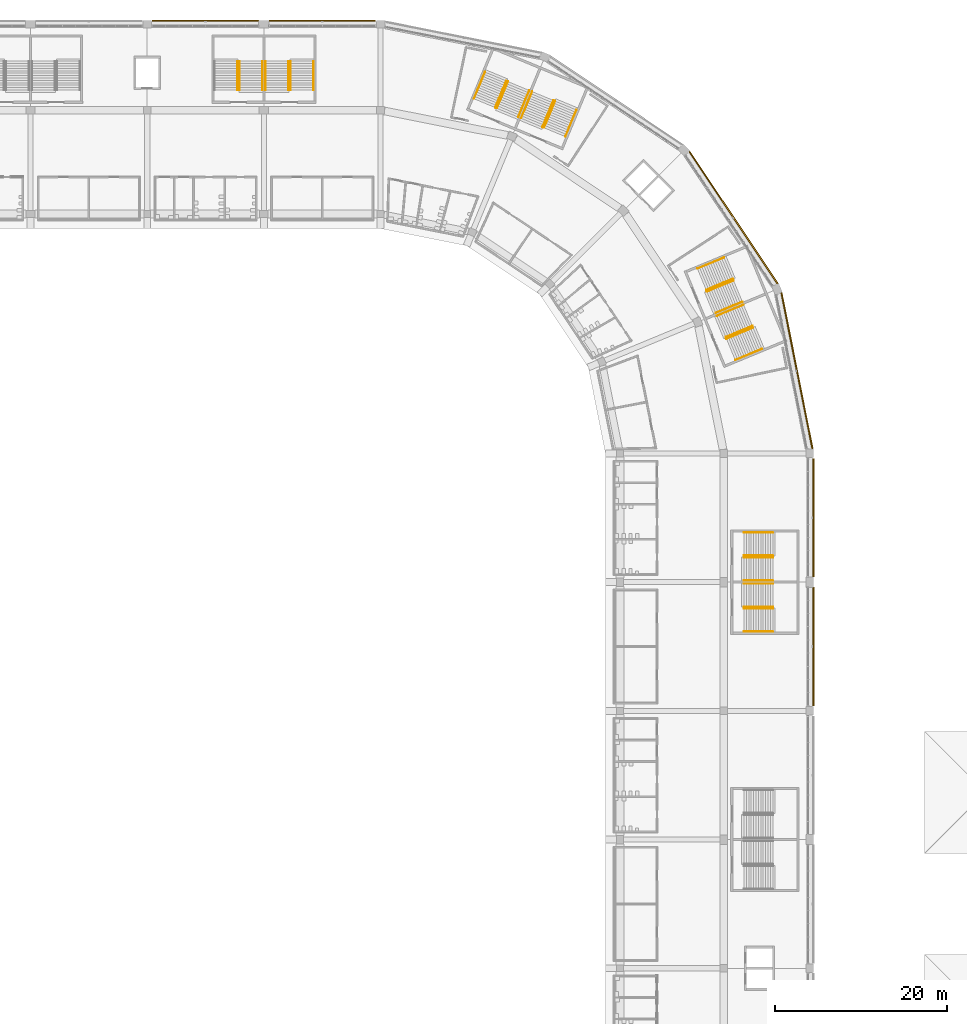
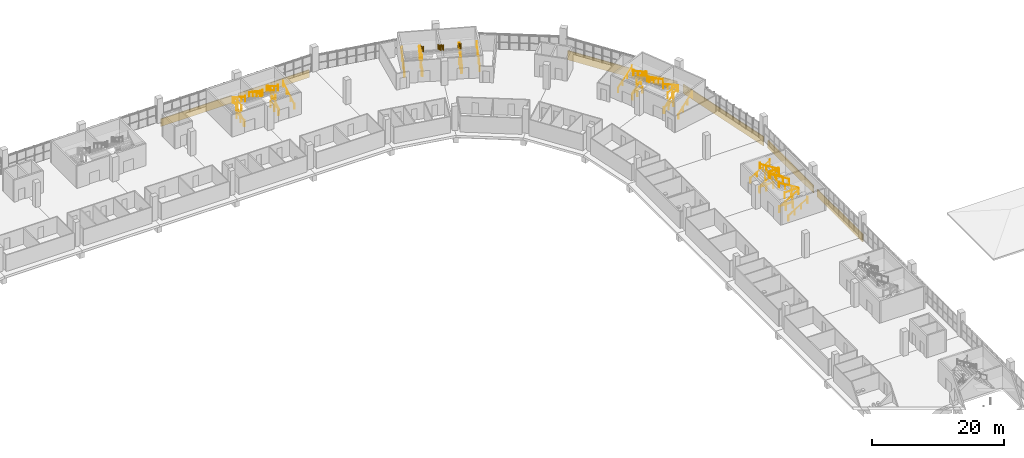
# One storey, part 191 of 199: 47 railings, 6 coverings.
"""IFC4 building model written with IfcOpenShell, lengths in metres."""

from ifc_helpers import new_model, si_unit, direction, frame, origin, origin_2d, place, context, subcontext, project, spatial, polyline, circle, outline, extrude, material, layer, layer_set, type_object, element, save


model = new_model("IFC4")

# Units and contexts
model_context = context("Model", 3, precision=1e-05, world=origin(), true_north=direction((0.0, 1.0)))
body_context = subcontext(model_context, "Body", "Model", "MODEL_VIEW")
ifc_project = project(units=[si_unit("LENGTHUNIT", "METRE"), si_unit("AREAUNIT", "SQUARE_METRE"), si_unit("VOLUMEUNIT", "CUBIC_METRE"), si_unit("PLANEANGLEUNIT", "RADIAN"), si_unit("MASSUNIT", "GRAM", prefix="KILO")], contexts=[model_context])

# Site, building, storey
site_placement = place(None, origin())
site = spatial("IfcSite", under=ifc_project, at=site_placement, CompositionType="ELEMENT")
building_placement = place(site_placement, origin())
building = spatial("IfcBuilding", under=site, at=building_placement, Name="Ogive Plaza Stadium", CompositionType="ELEMENT")
storey_placement = place(building_placement, frame((0.0, 0.0, 4.5)))
storey = spatial("IfcBuildingStorey", under=building, at=storey_placement, Name="L01", CompositionType="ELEMENT", Elevation=4.5)

# Railings
ifc_material_1 = material(Name="Steel ASTM A572 Grade 50", Category="steel")
railing_type_1 = type_object("IfcRailingType", Name="Guard 1100", PredefinedType="GUARDRAIL", material=ifc_material_1)
for number, where, name in (
    (1, (76.35009765625, 34.52490234375, 0.0), "Stair well guard ST02A L01"),
    (2, (77.31005859375, 34.52490234375, 2.25), "Stair well guard ST02A L01"),
    (3, (76.35009765625, 40.47509765625, 0.0), "Stair well guard ST02B L01"),
    (4, (77.31005859375, 40.47509765625, 2.25), "Stair well guard ST02B L01"),
):
    element("IfcRailing", number, at=place(storey_placement, frame(where)), inside=storey, type_object=railing_type_1, Name=name, PredefinedType="GUARDRAIL", context=body_context, shape_type="SweptSolid", body=[
        extrude(circle(Radius=0.02392578125, at=origin_2d()), frame((0.0, 0.0, 1.076171875), z_axis=(1.0, 0.0, 0.0), x_axis=(0.0, 1.0, 0.0)), (0.0, 0.0, 1.0), 2.39990234375),
        extrude(circle(Radius=0.02099609375, at=origin_2d()), origin(), (0.0, 0.0, 1.0), 1.052001953125),
        extrude(circle(Radius=0.02099609375, at=origin_2d()), frame((1.199951171875, 0.0, 0.0)), (0.0, 0.0, 1.0), 1.052001953125),
        extrude(circle(Radius=0.02099609375, at=origin_2d()), frame((2.39990234375, 0.0, 0.0)), (0.0, 0.0, 1.0), 1.052001953125),
    ])
for number, where, name in (
    (5, (23.375, 94.85009765625, 0.0), "Stair well guard ST36A L01"),
    (6, (23.375, 95.81005859375, 2.25), "Stair well guard ST36A L01"),
    (7, (17.425048828125, 94.85009765625, 0.0), "Stair well guard ST36B L01"),
    (8, (17.425048828125, 95.81005859375, 2.25), "Stair well guard ST36B L01"),
):
    element("IfcRailing", number, at=place(storey_placement, frame(where)), inside=storey, type_object=railing_type_1, Name=name, PredefinedType="GUARDRAIL", context=body_context, shape_type="SweptSolid", body=[
        extrude(circle(Radius=0.02392578125, at=origin_2d()), frame((0.0, 0.0, 1.076171875), z_axis=(0.0, 1.0, 0.0), x_axis=(-1.0, 0.0, 0.0)), (0.0, 0.0, 1.0), 2.39990234375),
        extrude(circle(Radius=0.02099609375, at=origin_2d()), origin(), (0.0, 0.0, 1.0), 1.052001953125),
        extrude(circle(Radius=0.02099609375, at=origin_2d()), frame((0.0, 1.199951171875, 0.0)), (0.0, 0.0, 1.0), 1.052001953125),
        extrude(circle(Radius=0.02099609375, at=origin_2d()), frame((0.0, 2.39990234375, 0.0)), (0.0, 0.0, 1.0), 1.052001953125),
    ])
for number, where, name in (
    (9, (52.955078125, 90.48779296875, 0.0), "Stair well guard ST38A L01"),
    (10, (53.322509765625, 91.374755859375, 2.25), "Stair well guard ST38A L01"),
    (11, (47.4580078125, 92.764892578125, 0.0), "Stair well guard ST38B L01"),
    (12, (47.825439453125, 93.651611328125, 2.25), "Stair well guard ST38B L01"),
):
    element("IfcRailing", number, at=place(storey_placement, frame(where)), inside=storey, type_object=railing_type_1, Name=name, PredefinedType="GUARDRAIL", context=body_context, shape_type="SweptSolid", body=[
        extrude(circle(Radius=0.02392578125, at=origin_2d()), frame((0.0, 0.0, 1.076171875), z_axis=(0.382693194178, 0.923875488976, 0.0), x_axis=(-0.923875488976, 0.382693194178, 0.0)), (0.0, 0.0, 1.0), 2.39990234375),
        extrude(circle(Radius=0.02099609375, at=origin_2d()), origin(), (0.0, 0.0, 1.0), 1.052001953125),
        extrude(circle(Radius=0.02099609375, at=origin_2d()), frame((0.459228515625, 1.108642578125, 0.0)), (0.0, 0.0, 1.0), 1.052001953125),
        extrude(circle(Radius=0.02099609375, at=origin_2d()), frame((0.91845703125, 2.21728515625, 0.0)), (0.0, 0.0, 1.0), 1.052001953125),
    ])
for number, where, name in (
    (13, (74.264892578125, 65.9580078125, 0.0), "Stair well guard ST40A L01"),
    (14, (75.151611328125, 66.325439453125, 2.25), "Stair well guard ST40A L01"),
    (15, (71.98779296875, 71.455078125, 0.0), "Stair well guard ST40B L01"),
    (16, (72.874755859375, 71.822509765625, 2.25), "Stair well guard ST40B L01"),
):
    element("IfcRailing", number, at=place(storey_placement, frame(where)), inside=storey, type_object=railing_type_1, Name=name, PredefinedType="GUARDRAIL", context=body_context, shape_type="SweptSolid", body=[
        extrude(circle(Radius=0.02392578125, at=origin_2d()), frame((0.0, 0.0, 1.076171875), z_axis=(0.923875488976, 0.382693194178, 0.0), x_axis=(-0.382693194178, 0.923875488976, 0.0)), (0.0, 0.0, 1.0), 2.39990234375),
        extrude(circle(Radius=0.02099609375, at=origin_2d()), origin(), (0.0, 0.0, 1.0), 1.052001953125),
        extrude(circle(Radius=0.02099609375, at=origin_2d()), frame((1.108642578125, 0.459228515625, 0.0)), (0.0, 0.0, 1.0), 1.052001953125),
        extrude(circle(Radius=0.02099609375, at=origin_2d()), frame((2.21728515625, 0.91845703125, 0.0)), (0.0, 0.0, 1.0), 1.052001953125),
    ])
ifc_material_2 = material(Name="Steel ASTM A572 Grade 50", Category="steel")
railing_type_2 = type_object("IfcRailingType", Name="Handrail 900", PredefinedType="HANDRAIL", material=ifc_material_2)
for number, where, name in (
    (17, (76.35009765625, 31.735107421875, 0.173095703125), "Handrail ST02A L01"),
    (18, (76.35009765625, 34.4150390625, 0.173095703125), "Handrail ST02A L01"),
):
    element("IfcRailing", number, at=place(storey_placement, frame(where)), inside=storey, type_object=railing_type_2, Name=name, PredefinedType="HANDRAIL", context=body_context, shape_type="SweptSolid", body=[
        extrude(circle(Radius=0.02392578125, at=origin_2d()), frame((0.0, 0.0, 0.8759765625), z_axis=(0.850606129759, 0.0, 0.525803396734), x_axis=(0.0, 1.0, 0.0)), (0.0, 0.0, 1.0), 3.949951171875),
        extrude(circle(Radius=0.02099609375, at=origin_2d()), origin(), (0.0, 0.0, 1.0), 0.851806640625),
        extrude(circle(Radius=0.02099609375, at=origin_2d()), frame((1.119873046875, 0.0, 0.6923828125)), (0.0, 0.0, 1.0), 0.851806640625),
        extrude(circle(Radius=0.02099609375, at=origin_2d()), frame((2.239990234375, 0.0, 1.384521484375)), (0.0, 0.0, 1.0), 0.851806640625),
        extrude(circle(Radius=0.02099609375, at=origin_2d()), frame((3.35986328125, 0.0, 2.076904296875)), (0.0, 0.0, 1.0), 1.10009765625),
    ])
for number, where, name in (
    (19, (79.7099609375, 34.635009765625, 2.423095703125), "Handrail ST02A L01"),
    (20, (79.7099609375, 37.31494140625, 2.423095703125), "Handrail ST02A L01"),
):
    element("IfcRailing", number, at=place(storey_placement, frame(where)), inside=storey, type_object=railing_type_2, Name=name, PredefinedType="HANDRAIL", context=body_context, shape_type="SweptSolid", body=[
        extrude(circle(Radius=0.02392578125, at=origin_2d()), frame((0.0, 0.0, 0.8759765625), z_axis=(-0.850606129759, 0.0, 0.525803396734), x_axis=(0.0, -1.0, 0.0)), (0.0, 0.0, 1.0), 3.949951171875),
        extrude(circle(Radius=0.02099609375, at=origin_2d()), origin(), (0.0, 0.0, 1.0), 0.851806640625),
        extrude(circle(Radius=0.02099609375, at=origin_2d()), frame((-1.119873046875, 0.0, 0.6923828125)), (0.0, 0.0, 1.0), 0.851806640625),
        extrude(circle(Radius=0.02099609375, at=origin_2d()), frame((-2.239990234375, 0.0, 1.384521484375)), (0.0, 0.0, 1.0), 0.851806640625),
        extrude(circle(Radius=0.02099609375, at=origin_2d()), frame((-3.35986328125, 0.0, 2.076904296875)), (0.0, 0.0, 1.0), 1.10009765625),
    ])
for number, where, name in (
    (21, (76.35009765625, 40.5849609375, 0.173095703125), "Handrail ST02B L01"),
    (22, (76.35009765625, 43.264892578125, 0.173095703125), "Handrail ST02B L01"),
):
    element("IfcRailing", number, at=place(storey_placement, frame(where)), inside=storey, type_object=railing_type_2, Name=name, PredefinedType="HANDRAIL", context=body_context, shape_type="SweptSolid", body=[
        extrude(circle(Radius=0.02392578125, at=origin_2d()), frame((0.0, 0.0, 0.8759765625), z_axis=(0.850606129759, 0.0, 0.525803396734), x_axis=(0.0, 1.0, 0.0)), (0.0, 0.0, 1.0), 3.949951171875),
        extrude(circle(Radius=0.02099609375, at=origin_2d()), origin(), (0.0, 0.0, 1.0), 0.851806640625),
        extrude(circle(Radius=0.02099609375, at=origin_2d()), frame((1.119873046875, 0.0, 0.6923828125)), (0.0, 0.0, 1.0), 0.851806640625),
        extrude(circle(Radius=0.02099609375, at=origin_2d()), frame((2.239990234375, 0.0, 1.384521484375)), (0.0, 0.0, 1.0), 0.851806640625),
        extrude(circle(Radius=0.02099609375, at=origin_2d()), frame((3.35986328125, 0.0, 2.076904296875)), (0.0, 0.0, 1.0), 1.10009765625),
    ])
for number, where, name in (
    (23, (79.7099609375, 37.68505859375, 2.423095703125), "Handrail ST02B L01"),
    (24, (79.7099609375, 40.364990234375, 2.423095703125), "Handrail ST02B L01"),
):
    element("IfcRailing", number, at=place(storey_placement, frame(where)), inside=storey, type_object=railing_type_2, Name=name, PredefinedType="HANDRAIL", context=body_context, shape_type="SweptSolid", body=[
        extrude(circle(Radius=0.02392578125, at=origin_2d()), frame((0.0, 0.0, 0.8759765625), z_axis=(-0.850606129759, 0.0, 0.525803396734), x_axis=(0.0, -1.0, 0.0)), (0.0, 0.0, 1.0), 3.949951171875),
        extrude(circle(Radius=0.02099609375, at=origin_2d()), origin(), (0.0, 0.0, 1.0), 0.851806640625),
        extrude(circle(Radius=0.02099609375, at=origin_2d()), frame((-1.119873046875, 0.0, 0.6923828125)), (0.0, 0.0, 1.0), 0.851806640625),
        extrude(circle(Radius=0.02099609375, at=origin_2d()), frame((-2.239990234375, 0.0, 1.384521484375)), (0.0, 0.0, 1.0), 0.851806640625),
        extrude(circle(Radius=0.02099609375, at=origin_2d()), frame((-3.35986328125, 0.0, 2.076904296875)), (0.0, 0.0, 1.0), 1.10009765625),
    ])
for number, where, name in (
    (25, (26.1650390625, 94.85009765625, 0.173095703125), "Handrail ST36A L01"),
    (26, (23.485107421875, 94.85009765625, 0.173095703125), "Handrail ST36A L01"),
):
    element("IfcRailing", number, at=place(storey_placement, frame(where)), inside=storey, type_object=railing_type_2, Name=name, PredefinedType="HANDRAIL", context=body_context, shape_type="SweptSolid", body=[
        extrude(circle(Radius=0.02392578125, at=origin_2d()), frame((0.0, 0.0, 0.8759765625), z_axis=(0.0, 0.850606129759, 0.525803396734), x_axis=(-1.0, 0.0, 0.0)), (0.0, 0.0, 1.0), 3.949951171875),
        extrude(circle(Radius=0.02099609375, at=origin_2d()), origin(), (0.0, 0.0, 1.0), 0.851806640625),
        extrude(circle(Radius=0.02099609375, at=origin_2d()), frame((0.0, 1.119873046875, 0.6923828125)), (0.0, 0.0, 1.0), 0.851806640625),
        extrude(circle(Radius=0.02099609375, at=origin_2d()), frame((0.0, 2.239990234375, 1.384521484375)), (0.0, 0.0, 1.0), 0.851806640625),
        extrude(circle(Radius=0.02099609375, at=origin_2d()), frame((0.0, 3.35986328125, 2.076904296875)), (0.0, 0.0, 1.0), 1.10009765625),
    ])
for number, where, name in (
    (27, (23.264892578125, 98.2099609375, 2.423095703125), "Handrail ST36A L01"),
    (28, (20.5849609375, 98.2099609375, 2.423095703125), "Handrail ST36A L01"),
):
    element("IfcRailing", number, at=place(storey_placement, frame(where)), inside=storey, type_object=railing_type_2, Name=name, PredefinedType="HANDRAIL", context=body_context, shape_type="SweptSolid", body=[
        extrude(circle(Radius=0.02392578125, at=origin_2d()), frame((0.0, 0.0, 0.8759765625), z_axis=(0.0, -0.850606129759, 0.525803396734), x_axis=(1.0, 0.0, 0.0)), (0.0, 0.0, 1.0), 3.949951171875),
        extrude(circle(Radius=0.02099609375, at=origin_2d()), origin(), (0.0, 0.0, 1.0), 0.851806640625),
        extrude(circle(Radius=0.02099609375, at=origin_2d()), frame((0.0, -1.119873046875, 0.6923828125)), (0.0, 0.0, 1.0), 0.851806640625),
        extrude(circle(Radius=0.02099609375, at=origin_2d()), frame((0.0, -2.239990234375, 1.384521484375)), (0.0, 0.0, 1.0), 0.851806640625),
        extrude(circle(Radius=0.02099609375, at=origin_2d()), frame((0.0, -3.35986328125, 2.076904296875)), (0.0, 0.0, 1.0), 1.10009765625),
    ])
railing_1_placement = place(storey_placement, frame((17.31494140625, 94.85009765625, 0.173095703125)))
element("IfcRailing", 29, at=railing_1_placement, inside=storey, type_object=railing_type_2, Name="Handrail ST36B L01", PredefinedType="HANDRAIL", context=body_context, shape_type="SweptSolid", body=[
    extrude(circle(Radius=0.02392578125, at=origin_2d()), frame((0.0, 0.0, 0.8759765625), z_axis=(0.0, 0.850606129759, 0.525803396734), x_axis=(-1.0, 0.0, 0.0)), (0.0, 0.0, 1.0), 3.949951171875),
    extrude(circle(Radius=0.02099609375, at=origin_2d()), origin(), (0.0, 0.0, 1.0), 0.851806640625),
    extrude(circle(Radius=0.02099609375, at=origin_2d()), frame((0.0, 1.119873046875, 0.6923828125)), (0.0, 0.0, 1.0), 0.851806640625),
    extrude(circle(Radius=0.02099609375, at=origin_2d()), frame((0.0, 2.239990234375, 1.384521484375)), (0.0, 0.0, 1.0), 0.851806640625),
    extrude(circle(Radius=0.02099609375, at=origin_2d()), frame((0.0, 3.35986328125, 2.076904296875)), (0.0, 0.0, 1.0), 1.10009765625),
])
for number, where, name in (
    (30, (20.215087890625, 98.2099609375, 2.423095703125), "Handrail ST36B L01"),
    (31, (17.534912109375, 98.2099609375, 2.423095703125), "Handrail ST36B L01"),
):
    element("IfcRailing", number, at=place(storey_placement, frame(where)), inside=storey, type_object=railing_type_2, Name=name, PredefinedType="HANDRAIL", context=body_context, shape_type="SweptSolid", body=[
        extrude(circle(Radius=0.02392578125, at=origin_2d()), frame((0.0, 0.0, 0.8759765625), z_axis=(0.0, -0.850606129759, 0.525803396734), x_axis=(1.0, 0.0, 0.0)), (0.0, 0.0, 1.0), 3.949951171875),
        extrude(circle(Radius=0.02099609375, at=origin_2d()), origin(), (0.0, 0.0, 1.0), 0.851806640625),
        extrude(circle(Radius=0.02099609375, at=origin_2d()), frame((0.0, -1.119873046875, 0.6923828125)), (0.0, 0.0, 1.0), 0.851806640625),
        extrude(circle(Radius=0.02099609375, at=origin_2d()), frame((0.0, -2.239990234375, 1.384521484375)), (0.0, 0.0, 1.0), 0.851806640625),
        extrude(circle(Radius=0.02099609375, at=origin_2d()), frame((0.0, -3.35986328125, 2.076904296875)), (0.0, 0.0, 1.0), 1.10009765625),
    ])
railing_2_placement = place(storey_placement, frame((55.53271484375, 89.420166015625, 0.173095703125)))
element("IfcRailing", 32, at=railing_2_placement, inside=storey, type_object=railing_type_2, Name="Handrail ST38A L01", PredefinedType="HANDRAIL", context=body_context, shape_type="SweptSolid", body=[
    extrude(circle(Radius=0.02392578125, at=origin_2d()), frame((0.0, 0.0, 0.8759765625), z_axis=(0.32553207776, 0.785862990074, 0.525783441334), x_axis=(-0.923872479269, 0.382700459954, 0.0)), (0.0, 0.0, 1.0), 3.9501953125),
    extrude(circle(Radius=0.02099609375, at=origin_2d()), origin(), (0.0, 0.0, 1.0), 0.851806640625),
    extrude(circle(Radius=0.02099609375, at=origin_2d()), frame((0.4287109375, 1.03466796875, 0.6923828125)), (0.0, 0.0, 1.0), 0.851806640625),
    extrude(circle(Radius=0.02099609375, at=origin_2d()), frame((0.857177734375, 2.069580078125, 1.384521484375)), (0.0, 0.0, 1.0), 0.851806640625),
    extrude(circle(Radius=0.02099609375, at=origin_2d()), frame((1.285888671875, 3.104248046875, 2.076904296875)), (0.0, 0.0, 1.0), 1.10009765625),
])
railing_3_placement = place(storey_placement, frame((53.056884765625, 90.44580078125, 0.173095703125)))
element("IfcRailing", 33, at=railing_3_placement, inside=storey, type_object=railing_type_2, Name="Handrail ST38A L01", PredefinedType="HANDRAIL", context=body_context, shape_type="SweptSolid", body=[
    extrude(circle(Radius=0.02392578125, at=origin_2d()), frame((0.0, 0.0, 0.8759765625), z_axis=(0.325476819766, 0.785878800478, 0.525794019321), x_axis=(-0.923898168054, 0.382638439086, 0.0)), (0.0, 0.0, 1.0), 3.949951171875),
    extrude(circle(Radius=0.02099609375, at=origin_2d()), origin(), (0.0, 0.0, 1.0), 0.851806640625),
    extrude(circle(Radius=0.02099609375, at=origin_2d()), frame((0.428466796875, 1.03466796875, 0.6923828125)), (0.0, 0.0, 1.0), 0.851806640625),
    extrude(circle(Radius=0.02099609375, at=origin_2d()), frame((0.857177734375, 2.069580078125, 1.384521484375)), (0.0, 0.0, 1.0), 0.851806640625),
    extrude(circle(Radius=0.02099609375, at=origin_2d()), frame((1.28564453125, 3.104248046875, 2.076904296875)), (0.0, 0.0, 1.0), 1.10009765625),
])
railing_4_placement = place(storey_placement, frame((54.139404296875, 93.634033203125, 2.423095703125)))
element("IfcRailing", 34, at=railing_4_placement, inside=storey, type_object=railing_type_2, Name="Handrail ST38A L01", PredefinedType="HANDRAIL", context=body_context, shape_type="SweptSolid", body=[
    extrude(circle(Radius=0.02392578125, at=origin_2d()), frame((0.0, 0.0, 0.8759765625), z_axis=(-0.325547889718, -0.78583935255, 0.525808980033), x_axis=(0.923861836433, -0.382726151683, 0.0)), (0.0, 0.0, 1.0), 3.949951171875),
    extrude(circle(Radius=0.02099609375, at=origin_2d()), origin(), (0.0, 0.0, 1.0), 0.851806640625),
    extrude(circle(Radius=0.02099609375, at=origin_2d()), frame((-0.4287109375, -1.03466796875, 0.6923828125)), (0.0, 0.0, 1.0), 0.851806640625),
    extrude(circle(Radius=0.02099609375, at=origin_2d()), frame((-0.857177734375, -2.0693359375, 1.384521484375)), (0.0, 0.0, 1.0), 0.851806640625),
    extrude(circle(Radius=0.02099609375, at=origin_2d()), frame((-1.285888671875, -3.10400390625, 2.076904296875)), (0.0, 0.0, 1.0), 1.10009765625),
])
railing_5_placement = place(storey_placement, frame((51.663330078125, 94.65966796875, 2.423095703125)))
element("IfcRailing", 35, at=railing_5_placement, inside=storey, type_object=railing_type_2, Name="Handrail ST38A L01", PredefinedType="HANDRAIL", context=body_context, shape_type="SweptSolid", body=[
    extrude(circle(Radius=0.02392578125, at=origin_2d()), frame((0.0, 0.0, 0.8759765625), z_axis=(-0.32553207776, -0.785862990074, 0.525783441334), x_axis=(0.923872479269, -0.382700459954, 0.0)), (0.0, 0.0, 1.0), 3.9501953125),
    extrude(circle(Radius=0.02099609375, at=origin_2d()), origin(), (0.0, 0.0, 1.0), 0.851806640625),
    extrude(circle(Radius=0.02099609375, at=origin_2d()), frame((-0.4287109375, -1.03466796875, 0.6923828125)), (0.0, 0.0, 1.0), 0.851806640625),
    extrude(circle(Radius=0.02099609375, at=origin_2d()), frame((-0.857177734375, -2.069580078125, 1.384521484375)), (0.0, 0.0, 1.0), 0.851806640625),
    extrude(circle(Radius=0.02099609375, at=origin_2d()), frame((-1.285888671875, -3.104248046875, 2.076904296875)), (0.0, 0.0, 1.0), 1.10009765625),
])
for number, where, name in (
    (36, (47.3564453125, 92.806884765625, 0.173095703125), "Handrail ST38B L01"),
    (37, (44.88037109375, 93.83251953125, 0.173095703125), "Handrail ST38B L01"),
):
    element("IfcRailing", number, at=place(storey_placement, frame(where)), inside=storey, type_object=railing_type_2, Name=name, PredefinedType="HANDRAIL", context=body_context, shape_type="SweptSolid", body=[
        extrude(circle(Radius=0.02392578125, at=origin_2d()), frame((0.0, 0.0, 0.8759765625), z_axis=(0.32553207776, 0.785862990074, 0.525783441334), x_axis=(-0.923872479269, 0.382700459954, 0.0)), (0.0, 0.0, 1.0), 3.9501953125),
        extrude(circle(Radius=0.02099609375, at=origin_2d()), origin(), (0.0, 0.0, 1.0), 0.851806640625),
        extrude(circle(Radius=0.02099609375, at=origin_2d()), frame((0.4287109375, 1.03466796875, 0.6923828125)), (0.0, 0.0, 1.0), 0.851806640625),
        extrude(circle(Radius=0.02099609375, at=origin_2d()), frame((0.857177734375, 2.069580078125, 1.384521484375)), (0.0, 0.0, 1.0), 0.851806640625),
        extrude(circle(Radius=0.02099609375, at=origin_2d()), frame((1.285888671875, 3.104248046875, 2.076904296875)), (0.0, 0.0, 1.0), 1.10009765625),
    ])
railing_6_placement = place(storey_placement, frame((51.321533203125, 94.80126953125, 2.423095703125)))
element("IfcRailing", 38, at=railing_6_placement, inside=storey, type_object=railing_type_2, Name="Handrail ST38B L01", PredefinedType="HANDRAIL", context=body_context, shape_type="SweptSolid", body=[
    extrude(circle(Radius=0.02392578125, at=origin_2d()), frame((0.0, 0.0, 0.8759765625), z_axis=(-0.32553207776, -0.785862990074, 0.525783441334), x_axis=(0.923872479269, -0.382700459954, 0.0)), (0.0, 0.0, 1.0), 3.9501953125),
    extrude(circle(Radius=0.02099609375, at=origin_2d()), origin(), (0.0, 0.0, 1.0), 0.851806640625),
    extrude(circle(Radius=0.02099609375, at=origin_2d()), frame((-0.4287109375, -1.03466796875, 0.6923828125)), (0.0, 0.0, 1.0), 0.851806640625),
    extrude(circle(Radius=0.02099609375, at=origin_2d()), frame((-0.857177734375, -2.069580078125, 1.384521484375)), (0.0, 0.0, 1.0), 0.851806640625),
    extrude(circle(Radius=0.02099609375, at=origin_2d()), frame((-1.285888671875, -3.104248046875, 2.076904296875)), (0.0, 0.0, 1.0), 1.10009765625),
])
railing_7_placement = place(storey_placement, frame((48.845458984375, 95.826904296875, 2.423095703125)))
element("IfcRailing", 39, at=railing_7_placement, inside=storey, type_object=railing_type_2, Name="Handrail ST38B L01", PredefinedType="HANDRAIL", context=body_context, shape_type="SweptSolid", body=[
    extrude(circle(Radius=0.02392578125, at=origin_2d()), frame((0.0, 0.0, 0.8759765625), z_axis=(-0.325476819766, -0.785878800478, 0.525794019321), x_axis=(0.923898168054, -0.382638439086, 0.0)), (0.0, 0.0, 1.0), 3.949951171875),
    extrude(circle(Radius=0.02099609375, at=origin_2d()), origin(), (0.0, 0.0, 1.0), 0.851806640625),
    extrude(circle(Radius=0.02099609375, at=origin_2d()), frame((-0.428466796875, -1.03466796875, 0.6923828125)), (0.0, 0.0, 1.0), 0.851806640625),
    extrude(circle(Radius=0.02099609375, at=origin_2d()), frame((-0.857177734375, -2.069580078125, 1.384521484375)), (0.0, 0.0, 1.0), 0.851806640625),
    extrude(circle(Radius=0.02099609375, at=origin_2d()), frame((-1.28564453125, -3.104248046875, 2.076904296875)), (0.0, 0.0, 1.0), 1.10009765625),
])
for number, where, name in (
    (40, (75.33251953125, 63.38037109375, 0.173095703125), "Handrail ST40A L01"),
    (41, (74.306884765625, 65.8564453125, 0.173095703125), "Handrail ST40A L01"),
):
    element("IfcRailing", number, at=place(storey_placement, frame(where)), inside=storey, type_object=railing_type_2, Name=name, PredefinedType="HANDRAIL", context=body_context, shape_type="SweptSolid", body=[
        extrude(circle(Radius=0.02392578125, at=origin_2d()), frame((0.0, 0.0, 0.8759765625), z_axis=(0.785862990074, 0.32553207776, 0.525783441334), x_axis=(-0.382700459954, 0.923872479269, 0.0)), (0.0, 0.0, 1.0), 3.9501953125),
        extrude(circle(Radius=0.02099609375, at=origin_2d()), origin(), (0.0, 0.0, 1.0), 0.851806640625),
        extrude(circle(Radius=0.02099609375, at=origin_2d()), frame((1.03466796875, 0.4287109375, 0.6923828125)), (0.0, 0.0, 1.0), 0.851806640625),
        extrude(circle(Radius=0.02099609375, at=origin_2d()), frame((2.069580078125, 0.857177734375, 1.384521484375)), (0.0, 0.0, 1.0), 0.851806640625),
        extrude(circle(Radius=0.02099609375, at=origin_2d()), frame((3.104248046875, 1.285888671875, 2.076904296875)), (0.0, 0.0, 1.0), 1.10009765625),
    ])
railing_8_placement = place(storey_placement, frame((77.326904296875, 67.345458984375, 2.423095703125)))
element("IfcRailing", 42, at=railing_8_placement, inside=storey, type_object=railing_type_2, Name="Handrail ST40A L01", PredefinedType="HANDRAIL", context=body_context, shape_type="SweptSolid", body=[
    extrude(circle(Radius=0.02392578125, at=origin_2d()), frame((0.0, 0.0, 0.8759765625), z_axis=(-0.785878800478, -0.325476819766, 0.525794019321), x_axis=(0.382638439086, -0.923898168054, 0.0)), (0.0, 0.0, 1.0), 3.949951171875),
    extrude(circle(Radius=0.02099609375, at=origin_2d()), origin(), (0.0, 0.0, 1.0), 0.851806640625),
    extrude(circle(Radius=0.02099609375, at=origin_2d()), frame((-1.03466796875, -0.428466796875, 0.6923828125)), (0.0, 0.0, 1.0), 0.851806640625),
    extrude(circle(Radius=0.02099609375, at=origin_2d()), frame((-2.069580078125, -0.857177734375, 1.384521484375)), (0.0, 0.0, 1.0), 0.851806640625),
    extrude(circle(Radius=0.02099609375, at=origin_2d()), frame((-3.104248046875, -1.28564453125, 2.076904296875)), (0.0, 0.0, 1.0), 1.10009765625),
])
railing_9_placement = place(storey_placement, frame((76.30126953125, 69.821533203125, 2.423095703125)))
element("IfcRailing", 43, at=railing_9_placement, inside=storey, type_object=railing_type_2, Name="Handrail ST40A L01", PredefinedType="HANDRAIL", context=body_context, shape_type="SweptSolid", body=[
    extrude(circle(Radius=0.02392578125, at=origin_2d()), frame((0.0, 0.0, 0.8759765625), z_axis=(-0.785862990074, -0.32553207776, 0.525783441334), x_axis=(0.382700459954, -0.923872479269, 0.0)), (0.0, 0.0, 1.0), 3.9501953125),
    extrude(circle(Radius=0.02099609375, at=origin_2d()), origin(), (0.0, 0.0, 1.0), 0.851806640625),
    extrude(circle(Radius=0.02099609375, at=origin_2d()), frame((-1.03466796875, -0.4287109375, 0.6923828125)), (0.0, 0.0, 1.0), 0.851806640625),
    extrude(circle(Radius=0.02099609375, at=origin_2d()), frame((-2.069580078125, -0.857177734375, 1.384521484375)), (0.0, 0.0, 1.0), 0.851806640625),
    extrude(circle(Radius=0.02099609375, at=origin_2d()), frame((-3.104248046875, -1.285888671875, 2.076904296875)), (0.0, 0.0, 1.0), 1.10009765625),
])
railing_10_placement = place(storey_placement, frame((71.94580078125, 71.556884765625, 0.173095703125)))
element("IfcRailing", 44, at=railing_10_placement, inside=storey, type_object=railing_type_2, Name="Handrail ST40B L01", PredefinedType="HANDRAIL", context=body_context, shape_type="SweptSolid", body=[
    extrude(circle(Radius=0.02392578125, at=origin_2d()), frame((0.0, 0.0, 0.8759765625), z_axis=(0.785878800478, 0.325476819766, 0.525794019321), x_axis=(-0.382638439086, 0.923898168054, 0.0)), (0.0, 0.0, 1.0), 3.949951171875),
    extrude(circle(Radius=0.02099609375, at=origin_2d()), origin(), (0.0, 0.0, 1.0), 0.851806640625),
    extrude(circle(Radius=0.02099609375, at=origin_2d()), frame((1.03466796875, 0.428466796875, 0.6923828125)), (0.0, 0.0, 1.0), 0.851806640625),
    extrude(circle(Radius=0.02099609375, at=origin_2d()), frame((2.069580078125, 0.857177734375, 1.384521484375)), (0.0, 0.0, 1.0), 0.851806640625),
    extrude(circle(Radius=0.02099609375, at=origin_2d()), frame((3.104248046875, 1.28564453125, 2.076904296875)), (0.0, 0.0, 1.0), 1.10009765625),
])
railing_11_placement = place(storey_placement, frame((70.920166015625, 74.03271484375, 0.173095703125)))
element("IfcRailing", 45, at=railing_11_placement, inside=storey, type_object=railing_type_2, Name="Handrail ST40B L01", PredefinedType="HANDRAIL", context=body_context, shape_type="SweptSolid", body=[
    extrude(circle(Radius=0.02392578125, at=origin_2d()), frame((0.0, 0.0, 0.8759765625), z_axis=(0.785862990074, 0.32553207776, 0.525783441334), x_axis=(-0.382700459954, 0.923872479269, 0.0)), (0.0, 0.0, 1.0), 3.9501953125),
    extrude(circle(Radius=0.02099609375, at=origin_2d()), origin(), (0.0, 0.0, 1.0), 0.851806640625),
    extrude(circle(Radius=0.02099609375, at=origin_2d()), frame((1.03466796875, 0.4287109375, 0.6923828125)), (0.0, 0.0, 1.0), 0.851806640625),
    extrude(circle(Radius=0.02099609375, at=origin_2d()), frame((2.069580078125, 0.857177734375, 1.384521484375)), (0.0, 0.0, 1.0), 0.851806640625),
    extrude(circle(Radius=0.02099609375, at=origin_2d()), frame((3.104248046875, 1.285888671875, 2.076904296875)), (0.0, 0.0, 1.0), 1.10009765625),
])
railing_12_placement = place(storey_placement, frame((76.15966796875, 70.163330078125, 2.423095703125)))
element("IfcRailing", 46, at=railing_12_placement, inside=storey, type_object=railing_type_2, Name="Handrail ST40B L01", PredefinedType="HANDRAIL", context=body_context, shape_type="SweptSolid", body=[
    extrude(circle(Radius=0.02392578125, at=origin_2d()), frame((0.0, 0.0, 0.8759765625), z_axis=(-0.785862990074, -0.32553207776, 0.525783441334), x_axis=(0.382700459954, -0.923872479269, 0.0)), (0.0, 0.0, 1.0), 3.9501953125),
    extrude(circle(Radius=0.02099609375, at=origin_2d()), origin(), (0.0, 0.0, 1.0), 0.851806640625),
    extrude(circle(Radius=0.02099609375, at=origin_2d()), frame((-1.03466796875, -0.4287109375, 0.6923828125)), (0.0, 0.0, 1.0), 0.851806640625),
    extrude(circle(Radius=0.02099609375, at=origin_2d()), frame((-2.069580078125, -0.857177734375, 1.384521484375)), (0.0, 0.0, 1.0), 0.851806640625),
    extrude(circle(Radius=0.02099609375, at=origin_2d()), frame((-3.104248046875, -1.285888671875, 2.076904296875)), (0.0, 0.0, 1.0), 1.10009765625),
])
railing_13_placement = place(storey_placement, frame((75.134033203125, 72.639404296875, 2.423095703125)))
element("IfcRailing", 47, at=railing_13_placement, inside=storey, type_object=railing_type_2, Name="Handrail ST40B L01", PredefinedType="HANDRAIL", context=body_context, shape_type="SweptSolid", body=[
    extrude(circle(Radius=0.02392578125, at=origin_2d()), frame((0.0, 0.0, 0.8759765625), z_axis=(-0.78583935255, -0.325547889718, 0.525808980033), x_axis=(0.382726151683, -0.923861836433, 0.0)), (0.0, 0.0, 1.0), 3.949951171875),
    extrude(circle(Radius=0.02099609375, at=origin_2d()), origin(), (0.0, 0.0, 1.0), 0.851806640625),
    extrude(circle(Radius=0.02099609375, at=origin_2d()), frame((-1.03466796875, -0.4287109375, 0.6923828125)), (0.0, 0.0, 1.0), 0.851806640625),
    extrude(circle(Radius=0.02099609375, at=origin_2d()), frame((-2.0693359375, -0.857177734375, 1.384521484375)), (0.0, 0.0, 1.0), 0.851806640625),
    extrude(circle(Radius=0.02099609375, at=origin_2d()), frame((-3.10400390625, -1.285888671875, 2.076904296875)), (0.0, 0.0, 1.0), 1.10009765625),
])

# Coverings
ifc_material_3 = material(Name="Cast stone (reconstituted limestone)", Category="masonry")
ifc_layer = layer(ifc_material_3, 0.159912109375)
ifc_layer_set = layer_set([ifc_layer], Name="Precast spandrel cladding 160")
covering_type = type_object("IfcCoveringType", Name="Precast spandrel cladding 160", PredefinedType="CLADDING", material=ifc_layer_set)
covering_1_placement = place(storey_placement, frame((0.0, 0.0, -1.409912109375)))
element("IfcCovering", 48, at=covering_1_placement, inside=storey, type_object=covering_type, Name="SPANDREL CLADDING B01 L01", PredefinedType="CLADDING", context=body_context, shape_type="SweptSolid", body=[
    extrude(outline(polyline([(84.35009765625, 51.89990234375), (84.35009765625, 38.10009765625), (84.510009765625, 38.10009765625), (84.510009765625, 51.89990234375), (84.35009765625, 51.89990234375)])), origin(), (0.0, 0.0, 1.0), 1.409912109375),
])
covering_2_placement = place(storey_placement, frame((0.0, 0.0, -1.409912109375)))
element("IfcCovering", 49, at=covering_2_placement, inside=storey, type_object=covering_type, Name="SPANDREL CLADDING B02 L01", PredefinedType="CLADDING", context=body_context, shape_type="SweptSolid", body=[
    extrude(outline(polyline([(84.35009765625, 36.89990234375), (84.35009765625, 23.10009765625), (84.510009765625, 23.10009765625), (84.510009765625, 36.89990234375), (84.35009765625, 36.89990234375)])), origin(), (0.0, 0.0, 1.0), 1.409912109375),
])
covering_3_placement = place(storey_placement, frame((0.0, 0.0, -1.409912109375)))
element("IfcCovering", 50, at=covering_3_placement, inside=storey, type_object=covering_type, Name="SPANDREL CLADDING B35 L01", PredefinedType="CLADDING", context=body_context, shape_type="SweptSolid", body=[
    extrude(outline(polyline([(7.39990234375, 102.85009765625), (19.800048828125, 102.85009765625), (19.800048828125, 103.010009765625), (7.39990234375, 103.010009765625), (7.39990234375, 102.85009765625)])), origin(), (0.0, 0.0, 1.0), 1.409912109375),
])
covering_4_placement = place(storey_placement, frame((0.0, 0.0, -1.409912109375)))
element("IfcCovering", 51, at=covering_4_placement, inside=storey, type_object=covering_type, Name="SPANDREL CLADDING B36 L01", PredefinedType="CLADDING", context=body_context, shape_type="SweptSolid", body=[
    extrude(outline(polyline([(21.0, 102.85009765625), (33.39990234375, 102.85009765625), (33.39990234375, 103.010009765625), (21.0, 103.010009765625), (21.0, 102.85009765625)])), origin(), (0.0, 0.0, 1.0), 1.409912109375),
])
covering_5_placement = place(storey_placement, frame((0.0, 0.0, -1.7099609375)))
element("IfcCovering", 52, at=covering_5_placement, inside=storey, type_object=covering_type, Name="SPANDREL CLADDING B39 L01", PredefinedType="CLADDING", context=body_context, shape_type="SweptSolid", body=[
    extrude(outline(polyline([(69.919189453125, 87.641357421875), (80.212158203125, 72.237060546875), (80.34521484375, 72.325927734375), (70.05224609375, 87.730224609375), (69.919189453125, 87.641357421875)])), origin(), (0.0, 0.0, 1.0), 1.7099609375),
])
covering_6_placement = place(storey_placement, frame((0.0, 0.0, -1.7099609375)))
element("IfcCovering", 53, at=covering_6_placement, inside=storey, type_object=covering_type, Name="SPANDREL CLADDING B40 L01", PredefinedType="CLADDING", context=body_context, shape_type="SweptSolid", body=[
    extrude(outline(polyline([(80.633056640625, 71.220703125), (84.24755859375, 53.050048828125), (84.404296875, 53.081298828125), (80.7900390625, 71.251953125), (80.633056640625, 71.220703125)])), origin(), (0.0, 0.0, 1.0), 1.7099609375),
])

save(model, "model.ifc")
